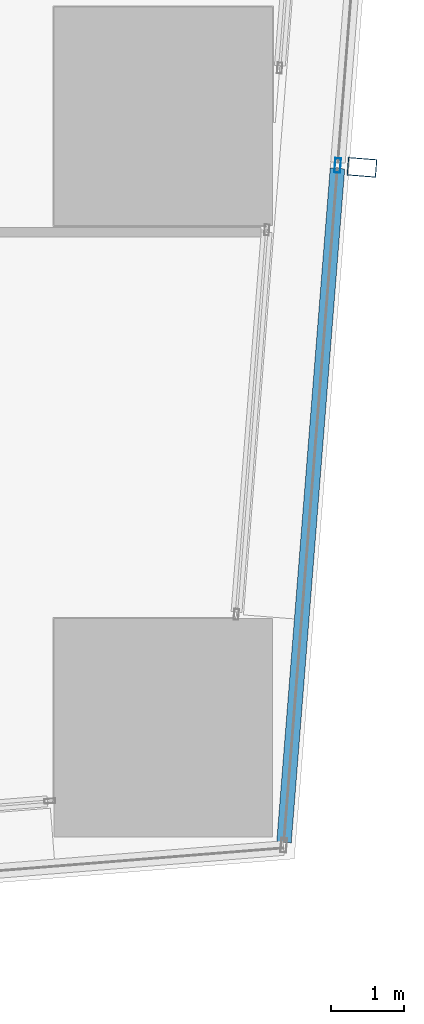
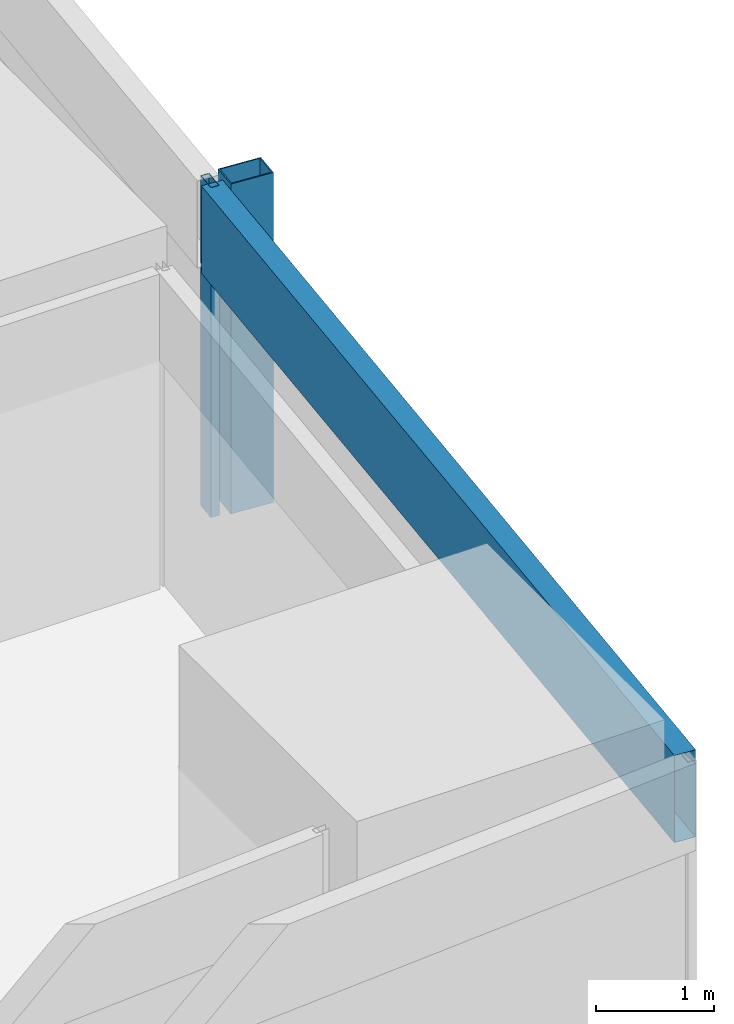
# One storey, part 25 of 44: 3 members, 1 element without a shape of its own.
"""IFC4 building model written with IfcOpenShell, lengths in metres."""

from ifc_helpers import new_model, si_unit, direction, frame, origin, origin_2d, place, context, subcontext, project, spatial, hollow_rectangle, extrude, material, material_profile, profile_set, type_object, element, aggregate, save


model = new_model("IFC4")

# Units and contexts
model_context = context("Model", 3, precision=1e-05, world=origin(), true_north=direction((0.0, 1.0)))
body_context = subcontext(model_context, "Body", "Model", "MODEL_VIEW")
ifc_project = project(units=[si_unit("LENGTHUNIT", "METRE"), si_unit("AREAUNIT", "SQUARE_METRE"), si_unit("VOLUMEUNIT", "CUBIC_METRE"), si_unit("PLANEANGLEUNIT", "RADIAN"), si_unit("MASSUNIT", "GRAM", prefix="KILO")], contexts=[model_context])

# Site, building, storey
site_placement = place(None, origin())
site = spatial("IfcSite", under=ifc_project, at=site_placement, CompositionType="ELEMENT")
building_placement = place(site_placement, origin())
building = spatial("IfcBuilding", under=site, at=building_placement, Name="Rekha Terrace Tower", CompositionType="ELEMENT")
storey_placement = place(building_placement, frame((0.0, 0.0, 81.64990234375)))
storey = spatial("IfcBuildingStorey", under=building, at=storey_placement, Name="L20", CompositionType="ELEMENT", Elevation=81.64990234375)

# Curtain wall, members
ifc_material_1 = material(Name="Aluminium framing", Category="aluminium")
curtain_wall_type = type_object("IfcCurtainWallType", Name="CW2 double skin outer glazing", PredefinedType="USERDEFINED", material=ifc_material_1)
curtain_wall_placement = place(storey_placement, origin())
curtain_wall = element("IfcCurtainWall", 1, at=curtain_wall_placement, inside=storey, type_object=curtain_wall_type, Name="CW2 double skin outer glazing", ObjectType="DOUBLE SKIN OUTER GLAZING", PredefinedType="USERDEFINED")
ifc_material_2 = material(Name="Steel S355 with fluorocarbon finish", Category="steel")
ifc_material_profile_1 = material_profile(ifc_material_2, hollow_rectangle(XDim=0.25, YDim=0.39990234375, WallThickness=0.012451171875, at=origin_2d()), Name="RHS400x250x12.5")
ifc_profile_set_1 = profile_set([ifc_material_profile_1], Name="Steel S355 with fluorocarbon finish")
member_type_1 = type_object("IfcMemberType", Name="BL1 facade blade RHS 400 x 250", PredefinedType="USERDEFINED", material=ifc_profile_set_1)
member_1_placement = place(storey_placement, frame((69.929443359375, 16.099365234375, 0.0), z_axis=(0.0, 0.0, 1.0), x_axis=(0.079116779322, 0.996865354614, 0.0)))
member_1 = element("IfcMember", 2, at=member_1_placement, type_object=member_type_1, Name="Facade blade", ObjectType="FACADE BLADE", PredefinedType="USERDEFINED", context=body_context, shape_type="SweptSolid", body=[
    extrude(hollow_rectangle(XDim=0.25, YDim=0.39990234375, WallThickness=0.012451171875, at=origin_2d()), origin(), (0.0, 0.0, 1.0), 3.400146484375),
])
ifc_material_3 = material(Name="Aluminium mullion section", Category="aluminium")
ifc_material_profile_2 = material_profile(ifc_material_3, hollow_rectangle(XDim=0.080078125, YDim=0.199951171875, WallThickness=0.00390625, at=origin_2d()), Name="AL RHS 80x200")
ifc_profile_set_2 = profile_set([ifc_material_profile_2], Name="Aluminium mullion section")
member_type_2 = type_object("IfcMemberType", Name="CW2 mullion RHS 80 x 200", PredefinedType="MULLION", material=ifc_profile_set_2)
member_2_placement = place(storey_placement, frame((69.595458984375, 16.125732421875, 0.0), z_axis=(0.0, 0.0, 1.0), x_axis=(-0.996865392575, 0.079116301017, 0.0)))
member_2 = element("IfcMember", 3, at=member_2_placement, type_object=member_type_2, Name="CW2 mullion 2", PredefinedType="MULLION", context=body_context, shape_type="SweptSolid", body=[
    extrude(hollow_rectangle(XDim=0.080078125, YDim=0.199951171875, WallThickness=0.00390625, at=origin_2d()), origin(), (0.0, 0.0, 1.0), 3.400146484375),
])
ifc_material_4 = material(Name="Insulated aluminium spandrel box", Category="aluminium")
ifc_material_profile_3 = material_profile(ifc_material_4, hollow_rectangle(XDim=0.199951171875, YDim=0.89990234375, WallThickness=0.0029296875, at=origin_2d()), Name="AL SPANDREL BOX 200x900")
ifc_profile_set_3 = profile_set([ifc_material_profile_3], Name="Insulated aluminium spandrel box")
member_type_3 = type_object("IfcMemberType", Name="CW2 spandrel transom 200 x 900", PredefinedType="USERDEFINED", material=ifc_profile_set_3)
member_3_placement = place(storey_placement, frame((68.857666015625, 6.828369140625, 2.9501953125), z_axis=(0.079104689968, 0.996866314019, 0.0), x_axis=(-0.996866314019, 0.079104689968, 0.0)))
member_3 = element("IfcMember", 4, at=member_3_placement, type_object=member_type_3, Name="CW2 spandrel transom 1", ObjectType="TRANSOM", PredefinedType="USERDEFINED", context=body_context, shape_type="SweptSolid", body=[
    extrude(hollow_rectangle(XDim=0.199951171875, YDim=0.89990234375, WallThickness=0.0029296875, at=origin_2d()), origin(), (0.0, 0.0, 1.0), 9.28662109375),
])
aggregate(curtain_wall, [member_2, member_3, member_1])

save(model, "model.ifc")
